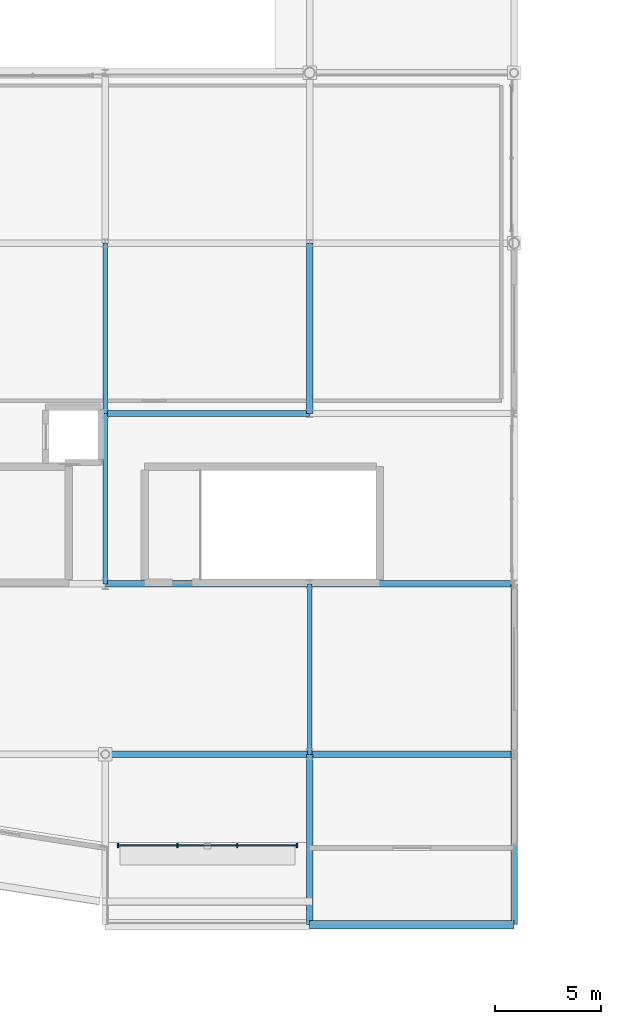
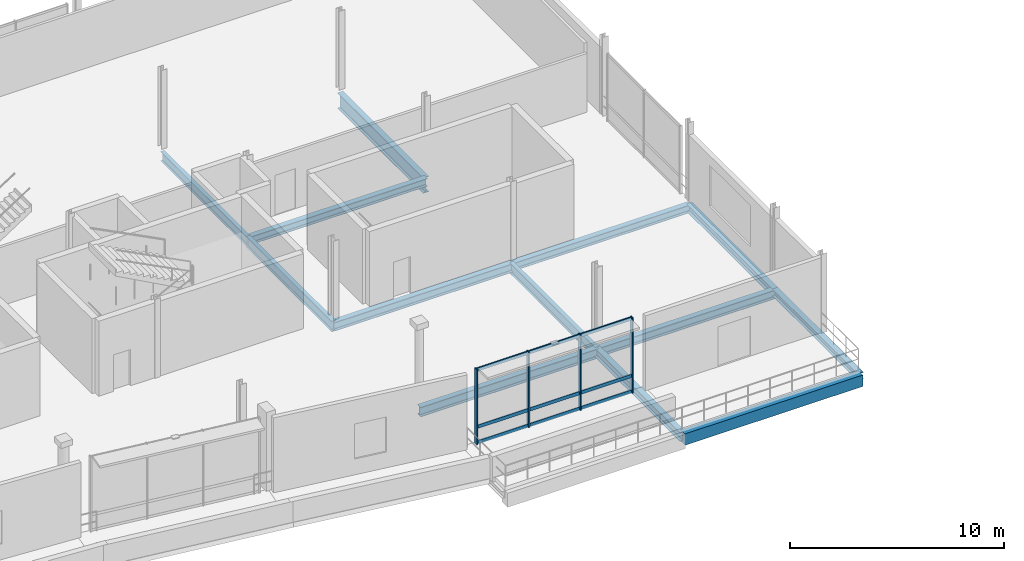
# One storey, part 23 of 59: 13 beams, 7 members, 1 element without a shape of its own.
"""IFC4 building model written with IfcOpenShell, lengths in metres."""

from ifc_helpers import new_model, si_unit, direction, frame, origin, origin_2d, place, context, subcontext, project, spatial, rectangle, i_section, extrude, material, material_profile, profile_set, type_object, element, aggregate, save


model = new_model("IFC4")

# Units and contexts
model_context = context("Model", 3, precision=1e-05, world=origin(), true_north=direction((0.0, 1.0)))
body_context = subcontext(model_context, "Body", "Model", "MODEL_VIEW")
ifc_project = project(units=[si_unit("LENGTHUNIT", "METRE"), si_unit("AREAUNIT", "SQUARE_METRE"), si_unit("VOLUMEUNIT", "CUBIC_METRE"), si_unit("PLANEANGLEUNIT", "RADIAN"), si_unit("MASSUNIT", "GRAM", prefix="KILO")], contexts=[model_context])

# Site, building, storey
site_placement = place(None, origin())
site = spatial("IfcSite", under=ifc_project, at=site_placement, CompositionType="ELEMENT")
building_placement = place(site_placement, origin())
building = spatial("IfcBuilding", under=site, at=building_placement, Name="Danafjord Basin Convention Centre", CompositionType="ELEMENT")
storey_placement = place(building_placement, frame((0.0, 0.0, 15.89990234375)))
storey = spatial("IfcBuildingStorey", under=building, at=storey_placement, Name="L03", CompositionType="ELEMENT", Elevation=15.89990234375)

# Beams
ifc_material_1 = material(Name="Steel S355", Category="steel")
ifc_material_profile_1 = material_profile(ifc_material_1, i_section(OverallWidth=0.300048828125, OverallDepth=0.449951171875, WebThickness=0.013916015625, FlangeThickness=0.02587890625, FilletRadius=0.027099609375, at=origin_2d()), Name="HEB 450")
ifc_profile_set_1 = profile_set([ifc_material_profile_1], Name="Steel S355")
beam_type_1 = type_object("IfcBeamType", Name="BEAM-BM-HEB450", PredefinedType="BEAM", material=ifc_profile_set_1)
beam_1_placement = place(storey_placement, frame((96.0, 24.0, -0.454833984375), z_axis=(1.0, 0.0, 0.0), x_axis=(0.0, 1.0, 0.0)))
element("IfcBeam", 1, at=beam_1_placement, inside=storey, type_object=beam_type_1, Name="L03 girder BM-HEB450", PredefinedType="BEAM", context=body_context, shape_type="SweptSolid", body=[
    extrude(i_section(OverallWidth=0.300048828125, OverallDepth=0.449951171875, WebThickness=0.013916015625, FlangeThickness=0.02587890625, FilletRadius=0.027099609375, at=origin_2d()), origin(), (0.0, 0.0, 1.0), 9.60009765625),
])
beam_2_placement = place(storey_placement, frame((105.60009765625, 16.0, -0.454833984375), z_axis=(1.0, 0.0, 0.0), x_axis=(0.0, 1.0, 0.0)))
element("IfcBeam", 2, at=beam_2_placement, inside=storey, type_object=beam_type_1, Name="L03 girder BM-HEB450", PredefinedType="BEAM", context=body_context, shape_type="SweptSolid", body=[
    extrude(i_section(OverallWidth=0.300048828125, OverallDepth=0.449951171875, WebThickness=0.013916015625, FlangeThickness=0.02587890625, FilletRadius=0.027099609375, at=origin_2d()), origin(), (0.0, 0.0, 1.0), 9.599853515625),
])
ifc_material_profile_2 = material_profile(ifc_material_1, i_section(OverallWidth=0.300048828125, OverallDepth=0.5, WebThickness=0.014404296875, FlangeThickness=0.028076171875, FilletRadius=0.027099609375, at=origin_2d()), Name="HEB 500")
ifc_profile_set_2 = profile_set([ifc_material_profile_2], Name="Steel S355")
beam_type_2 = type_object("IfcBeamType", Name="BEAM-BM-HEB500", PredefinedType="BEAM", material=ifc_profile_set_2)
beam_3_placement = place(storey_placement, frame((96.0, 16.0, -0.47998046875), z_axis=(1.0, 0.0, 0.0), x_axis=(0.0, 1.0, 0.0)))
element("IfcBeam", 3, at=beam_3_placement, inside=storey, type_object=beam_type_2, Name="L03 girder BM-HEB500", PredefinedType="BEAM", context=body_context, shape_type="SweptSolid", body=[
    extrude(i_section(OverallWidth=0.300048828125, OverallDepth=0.5, WebThickness=0.014404296875, FlangeThickness=0.028076171875, FilletRadius=0.027099609375, at=origin_2d()), origin(), (0.0, 0.0, 1.0), 9.60009765625),
])
beam_4_placement = place(storey_placement, frame((105.60009765625, 8.0, -0.47998046875), z_axis=(1.0, 0.0, 0.0), x_axis=(0.0, 1.0, 0.0)))
element("IfcBeam", 4, at=beam_4_placement, inside=storey, type_object=beam_type_2, Name="L03 girder BM-HEB500", PredefinedType="BEAM", context=body_context, shape_type="SweptSolid", body=[
    extrude(i_section(OverallWidth=0.300048828125, OverallDepth=0.5, WebThickness=0.014404296875, FlangeThickness=0.028076171875, FilletRadius=0.027099609375, at=origin_2d()), origin(), (0.0, 0.0, 1.0), 9.599853515625),
])
beam_5_placement = place(storey_placement, frame((105.60009765625, 0.0, -0.47998046875), z_axis=(0.0, 1.0, 0.0), x_axis=(-1.0, 0.0, 0.0)))
element("IfcBeam", 5, at=beam_5_placement, inside=storey, type_object=beam_type_2, Name="L03 transverse girder BM-HEB500", PredefinedType="BEAM", context=body_context, shape_type="SweptSolid", body=[
    extrude(i_section(OverallWidth=0.300048828125, OverallDepth=0.5, WebThickness=0.014404296875, FlangeThickness=0.028076171875, FilletRadius=0.027099609375, at=origin_2d()), origin(), (0.0, 0.0, 1.0), 8.0),
])
ifc_material_profile_3 = material_profile(ifc_material_1, i_section(OverallWidth=0.300048828125, OverallDepth=0.550048828125, WebThickness=0.014892578125, FlangeThickness=0.029052734375, FilletRadius=0.027099609375, at=origin_2d()), Name="HEB 550")
ifc_profile_set_3 = profile_set([ifc_material_profile_3], Name="Steel S355")
beam_type_3 = type_object("IfcBeamType", Name="BEAM-BM-HEB550", PredefinedType="BEAM", material=ifc_profile_set_3)
beam_6_placement = place(storey_placement, frame((96.0, 8.0, -0.5048828125), z_axis=(1.0, 0.0, 0.0), x_axis=(0.0, 1.0, 0.0)))
element("IfcBeam", 6, at=beam_6_placement, inside=storey, type_object=beam_type_3, Name="L03 girder BM-HEB550", PredefinedType="BEAM", context=body_context, shape_type="SweptSolid", body=[
    extrude(i_section(OverallWidth=0.300048828125, OverallDepth=0.550048828125, WebThickness=0.014892578125, FlangeThickness=0.029052734375, FilletRadius=0.027099609375, at=origin_2d()), origin(), (0.0, 0.0, 1.0), 9.60009765625),
])
ifc_material_profile_4 = material_profile(ifc_material_1, i_section(OverallWidth=0.300048828125, OverallDepth=0.89990234375, WebThickness=0.0185546875, FlangeThickness=0.034912109375, FilletRadius=0.030029296875, at=origin_2d()), Name="HEB 900")
ifc_profile_set_4 = profile_set([ifc_material_profile_4], Name="Steel S355")
beam_type_4 = type_object("IfcBeamType", Name="BEAM-BM-HEB900", PredefinedType="BEAM", material=ifc_profile_set_4)
beam_7_placement = place(storey_placement, frame((105.60009765625, 24.0, -0.679931640625), z_axis=(0.0, 1.0, 0.0), x_axis=(-1.0, 0.0, 0.0)))
element("IfcBeam", 7, at=beam_7_placement, inside=storey, type_object=beam_type_4, Name="L03 transverse girder BM-HEB900", PredefinedType="BEAM", context=body_context, shape_type="SweptSolid", body=[
    extrude(i_section(OverallWidth=0.300048828125, OverallDepth=0.89990234375, WebThickness=0.0185546875, FlangeThickness=0.034912109375, FilletRadius=0.030029296875, at=origin_2d()), origin(), (0.0, 0.0, 1.0), 8.0),
])
ifc_material_profile_5 = material_profile(ifc_material_1, i_section(OverallWidth=0.2099609375, OverallDepth=0.550048828125, WebThickness=0.010986328125, FlangeThickness=0.01708984375, FilletRadius=0.02392578125, at=origin_2d()), Name="IPE 550")
ifc_profile_set_5 = profile_set([ifc_material_profile_5], Name="Steel S355")
beam_type_5 = type_object("IfcBeamType", Name="BEAM-BM-IPE550", PredefinedType="BEAM", material=ifc_profile_set_5)
beam_8_placement = place(storey_placement, frame((96.0, 24.0, -0.5048828125), z_axis=(0.0, 1.0, 0.0), x_axis=(-1.0, 0.0, 0.0)))
element("IfcBeam", 8, at=beam_8_placement, inside=storey, type_object=beam_type_5, Name="L03 transverse girder BM-IPE550", PredefinedType="BEAM", context=body_context, shape_type="SweptSolid", body=[
    extrude(i_section(OverallWidth=0.2099609375, OverallDepth=0.550048828125, WebThickness=0.010986328125, FlangeThickness=0.01708984375, FilletRadius=0.02392578125, at=origin_2d()), origin(), (0.0, 0.0, 1.0), 8.0),
])
ifc_material_profile_6 = material_profile(ifc_material_1, i_section(OverallWidth=0.219970703125, OverallDepth=0.60009765625, WebThickness=0.011962890625, FlangeThickness=0.01904296875, FilletRadius=0.02392578125, at=origin_2d()), Name="IPE 600")
ifc_profile_set_6 = profile_set([ifc_material_profile_6], Name="Steel S355")
beam_type_6 = type_object("IfcBeamType", Name="BEAM-BM-IPE600", PredefinedType="BEAM", material=ifc_profile_set_6)
for number, where, z_axis, x_axis, name in (
    (9, (96.0, 16.0, -0.52978515625), (0.0, 1.0, 0.0), (-1.0, 0.0, 0.0), "L03 transverse girder BM-IPE600"),
    (10, (105.60009765625, 8.0, -0.52978515625), (0.0, 1.0, 0.0), (-1.0, 0.0, 0.0), "L03 transverse girder BM-IPE600"),
):
    element("IfcBeam", number, at=place(storey_placement, frame(where, z_axis=z_axis, x_axis=x_axis)), inside=storey, type_object=beam_type_6, Name=name, PredefinedType="BEAM", context=body_context, shape_type="SweptSolid", body=[
        extrude(i_section(OverallWidth=0.219970703125, OverallDepth=0.60009765625, WebThickness=0.011962890625, FlangeThickness=0.01904296875, FilletRadius=0.02392578125, at=origin_2d()), origin(), (0.0, 0.0, 1.0), 8.0),
    ])
ifc_material_profile_7 = material_profile(ifc_material_1, i_section(OverallWidth=0.300048828125, OverallDepth=0.39990234375, WebThickness=0.013427734375, FlangeThickness=0.02392578125, FilletRadius=0.027099609375, at=origin_2d()), Name="HEB 400")
ifc_profile_set_7 = profile_set([ifc_material_profile_7], Name="Steel S355")
beam_type_7 = type_object("IfcBeamType", Name="BEAM-SP-HEB400", PredefinedType="SPANDREL", material=ifc_profile_set_7)
beam_9_placement = place(storey_placement, frame((115.199951171875, 0.0, -0.429931640625), z_axis=(0.0, 1.0, 0.0), x_axis=(-1.0, 0.0, 0.0)))
element("IfcBeam", 11, at=beam_9_placement, inside=storey, type_object=beam_type_7, Name="L03 transverse girder SP-HEB400", PredefinedType="SPANDREL", context=body_context, shape_type="SweptSolid", body=[
    extrude(i_section(OverallWidth=0.300048828125, OverallDepth=0.39990234375, WebThickness=0.013427734375, FlangeThickness=0.02392578125, FilletRadius=0.027099609375, at=origin_2d()), origin(), (0.0, 0.0, 1.0), 8.0),
])
ifc_material_profile_8 = material_profile(ifc_material_1, i_section(OverallWidth=0.300048828125, OverallDepth=0.449951171875, WebThickness=0.013916015625, FlangeThickness=0.02587890625, FilletRadius=0.027099609375, at=origin_2d()), Name="HEB 450")
ifc_profile_set_8 = profile_set([ifc_material_profile_8], Name="Steel S355")
beam_type_8 = type_object("IfcBeamType", Name="BEAM-SP-HEB450", PredefinedType="SPANDREL", material=ifc_profile_set_8)
beam_10_placement = place(storey_placement, frame((115.199951171875, 8.0, -0.454833984375), z_axis=(0.0, 1.0, 0.0), x_axis=(-1.0, 0.0, 0.0)))
element("IfcBeam", 12, at=beam_10_placement, inside=storey, type_object=beam_type_8, Name="L03 transverse girder SP-HEB450", PredefinedType="SPANDREL", context=body_context, shape_type="SweptSolid", body=[
    extrude(i_section(OverallWidth=0.300048828125, OverallDepth=0.449951171875, WebThickness=0.013916015625, FlangeThickness=0.02587890625, FilletRadius=0.027099609375, at=origin_2d()), origin(), (0.0, 0.0, 1.0), 8.0),
])
ifc_material_2 = material(Name="Precast concrete C45/55", Category="concrete")
ifc_material_profile_9 = material_profile(ifc_material_2, rectangle(XDim=0.39990234375, YDim=0.64990234375, at=origin_2d()), Name="PCB 400x650")
ifc_profile_set_9 = profile_set([ifc_material_profile_9], Name="Precast concrete C45/55")
beam_type_9 = type_object("IfcBeamType", Name="BEAM-SP-PCB650", PredefinedType="SPANDREL", material=ifc_profile_set_9)
beam_11_placement = place(storey_placement, frame((105.60009765625, 0.0, -0.55078125), z_axis=(1.0, 0.0, 0.0), x_axis=(0.0, 1.0, 0.0)))
element("IfcBeam", 13, at=beam_11_placement, inside=storey, type_object=beam_type_9, Name="L03 girder SP-PCB650", PredefinedType="SPANDREL", context=body_context, shape_type="SweptSolid", body=[
    extrude(rectangle(XDim=0.39990234375, YDim=0.64990234375, at=origin_2d()), origin(), (0.0, 0.0, 1.0), 9.599853515625),
])

# Curtain wall, members
ifc_material_3 = material(Name="Anodised aluminium and triple glazing", Category="aluminium")
curtain_wall_type = type_object("IfcCurtainWallType", Name="CW-CW-TERR", PredefinedType="NOTDEFINED", material=ifc_material_3)
curtain_wall_placement = place(storey_placement, origin())
curtain_wall = element("IfcCurtainWall", 14, at=curtain_wall_placement, inside=storey, type_object=curtain_wall_type, Name="L03 CW-TERR unitised curtain wall bay 32", PredefinedType="NOTDEFINED")
ifc_material_4 = material(Name="Anodised aluminium EN AW-6060", Category="aluminium")
ifc_material_profile_10 = material_profile(ifc_material_4, rectangle(XDim=0.06494140625, YDim=0.219970703125, at=origin_2d()), Name="MULL 65x220")
ifc_profile_set_10 = profile_set([ifc_material_profile_10], Name="Anodised aluminium EN AW-6060")
member_type_1 = type_object("IfcMemberType", Name="MEM-ML-220", PredefinedType="MULLION", material=ifc_profile_set_10)
member_1_placement = place(storey_placement, frame((96.60009765625, 3.719970703125, -0.02490234375), z_axis=(0.0, 0.0, 1.0), x_axis=(1.0, 0.0, 0.0)))
member_1 = element("IfcMember", 15, at=member_1_placement, type_object=member_type_1, Name="CW-L03-032 mullion 1", PredefinedType="MULLION", context=body_context, shape_type="SweptSolid", body=[
    extrude(rectangle(XDim=0.06494140625, YDim=0.219970703125, at=origin_2d()), origin(), (0.0, 0.0, 1.0), 4.30908203125),
])
member_2_placement = place(storey_placement, frame((99.39990234375, 3.719970703125, -0.02490234375), z_axis=(0.0, 0.0, 1.0), x_axis=(1.0, 0.0, 0.0)))
member_2 = element("IfcMember", 16, at=member_2_placement, type_object=member_type_1, Name="CW-L03-032 mullion 2", PredefinedType="MULLION", context=body_context, shape_type="SweptSolid", body=[
    extrude(rectangle(XDim=0.06494140625, YDim=0.219970703125, at=origin_2d()), origin(), (0.0, 0.0, 1.0), 4.30908203125),
])
member_3_placement = place(storey_placement, frame((102.199951171875, 3.719970703125, -0.02490234375), z_axis=(0.0, 0.0, 1.0), x_axis=(1.0, 0.0, 0.0)))
member_3 = element("IfcMember", 17, at=member_3_placement, type_object=member_type_1, Name="CW-L03-032 mullion 3", PredefinedType="MULLION", context=body_context, shape_type="SweptSolid", body=[
    extrude(rectangle(XDim=0.06494140625, YDim=0.219970703125, at=origin_2d()), origin(), (0.0, 0.0, 1.0), 4.30908203125),
])
member_4_placement = place(storey_placement, frame((105.0, 3.719970703125, -0.02490234375), z_axis=(0.0, 0.0, 1.0), x_axis=(1.0, 0.0, 0.0)))
member_4 = element("IfcMember", 18, at=member_4_placement, type_object=member_type_1, Name="CW-L03-032 mullion 4", PredefinedType="MULLION", context=body_context, shape_type="SweptSolid", body=[
    extrude(rectangle(XDim=0.06494140625, YDim=0.219970703125, at=origin_2d()), origin(), (0.0, 0.0, 1.0), 4.30908203125),
])
ifc_material_profile_11 = material_profile(ifc_material_4, rectangle(XDim=0.06494140625, YDim=0.18994140625, at=origin_2d()), Name="TRAN 65x190")
ifc_profile_set_11 = profile_set([ifc_material_profile_11], Name="Anodised aluminium EN AW-6060")
member_type_2 = type_object("IfcMemberType", Name="MEM-TR-190", PredefinedType="USERDEFINED", material=ifc_profile_set_11)
member_5_placement = place(storey_placement, frame((96.60009765625, 3.719970703125, 0.06005859375), z_axis=(1.0, 0.0, 0.0), x_axis=(0.0, 1.0, 0.0)))
member_5 = element("IfcMember", 19, at=member_5_placement, type_object=member_type_2, Name="CW-L03-032 transom 1", ObjectType="TRANSOM", PredefinedType="USERDEFINED", context=body_context, shape_type="SweptSolid", body=[
    extrude(rectangle(XDim=0.06494140625, YDim=0.18994140625, at=origin_2d()), origin(), (0.0, 0.0, 1.0), 8.39990234375),
])
member_6_placement = place(storey_placement, frame((96.60009765625, 3.719970703125, 0.9501953125), z_axis=(1.0, 0.0, 0.0), x_axis=(0.0, 1.0, 0.0)))
member_6 = element("IfcMember", 20, at=member_6_placement, type_object=member_type_2, Name="CW-L03-032 transom 2", ObjectType="TRANSOM", PredefinedType="USERDEFINED", context=body_context, shape_type="SweptSolid", body=[
    extrude(rectangle(XDim=0.06494140625, YDim=0.18994140625, at=origin_2d()), origin(), (0.0, 0.0, 1.0), 8.39990234375),
])
member_7_placement = place(storey_placement, frame((96.60009765625, 3.719970703125, 4.214111328125), z_axis=(1.0, 0.0, 0.0), x_axis=(0.0, 1.0, 0.0)))
member_7 = element("IfcMember", 21, at=member_7_placement, type_object=member_type_2, Name="CW-L03-032 transom 3", ObjectType="TRANSOM", PredefinedType="USERDEFINED", context=body_context, shape_type="SweptSolid", body=[
    extrude(rectangle(XDim=0.06494140625, YDim=0.18994140625, at=origin_2d()), origin(), (0.0, 0.0, 1.0), 8.39990234375),
])
aggregate(curtain_wall, [member_1, member_2, member_3, member_4, member_5, member_6, member_7])

save(model, "model.ifc")
